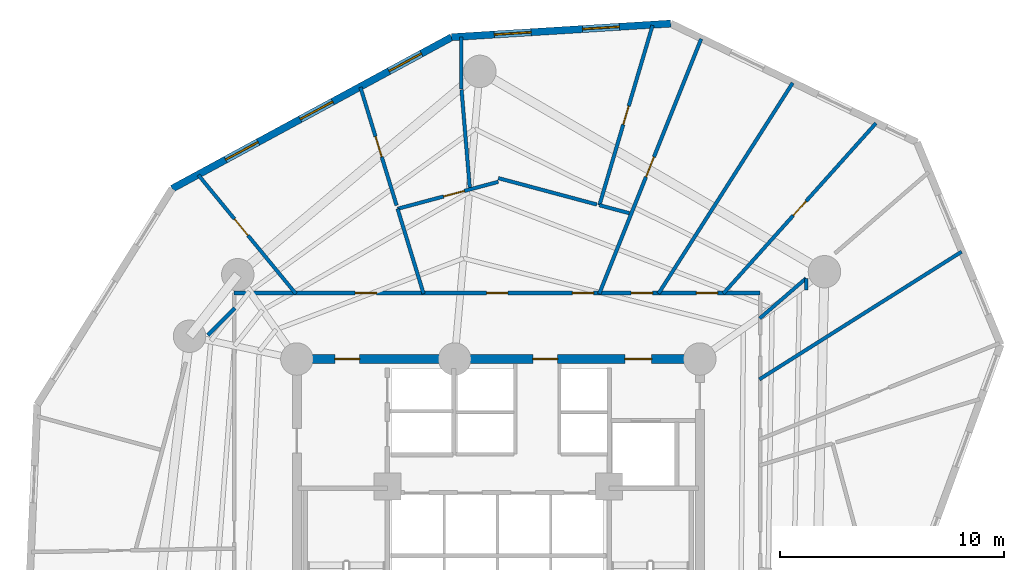
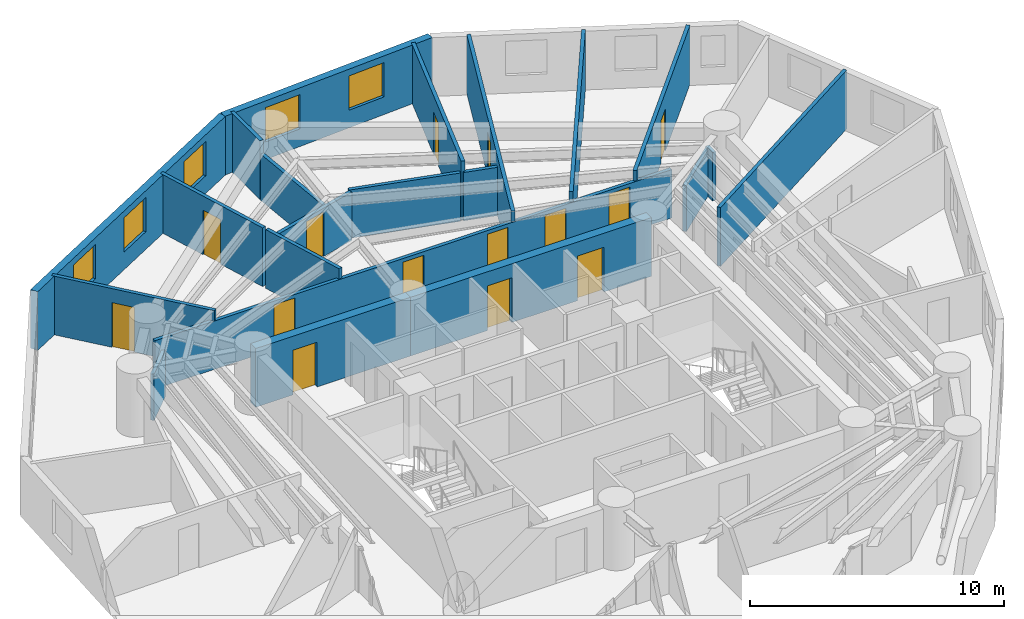
# One storey, part 6 of 8: 21 walls, 14 doors, 5 windows, 19 openings.
"""IFC4 building model written with IfcOpenShell, lengths in metres."""

from ifc_helpers import new_model, si_unit, direction, frame, frame_2d, origin, origin_with_axes, place, context, subcontext, project, spatial, rectangle, extrude, source, transform, mapped, material, layer, layer_set, type_object, element, fill, save


model = new_model("IFC4")

# Units and contexts
model_context = context("Model", 3, precision=1e-05, world=origin(), true_north=direction((0.0, 1.0)))
body_context = subcontext(model_context, "Body", "Model", "MODEL_VIEW")
ifc_project = project(units=[si_unit("LENGTHUNIT", "METRE"), si_unit("AREAUNIT", "SQUARE_METRE"), si_unit("VOLUMEUNIT", "CUBIC_METRE"), si_unit("PLANEANGLEUNIT", "RADIAN"), si_unit("MASSUNIT", "GRAM", prefix="KILO")], contexts=[model_context])

# Site, building, storey
site_placement = place(None, origin())
site = spatial("IfcSite", under=ifc_project, at=site_placement, CompositionType="ELEMENT")
building_placement = place(site_placement, origin())
building = spatial("IfcBuilding", under=site, at=building_placement, Name="Karkom Vertical University and Central Library", CompositionType="ELEMENT")
storey_placement = place(building_placement, frame((0.0, 0.0, 108.39990234375)))
storey = spatial("IfcBuildingStorey", under=building, at=storey_placement, Name="L29", CompositionType="ELEMENT", Elevation=108.39990234375)

# Wall, openings, windows
ifc_material_1 = material(Name="Brick-faced precast concrete C45/55", Category="masonry")
ifc_layer_1 = layer(ifc_material_1, 0.320068359375)
ifc_layer_set_1 = layer_set([ifc_layer_1], Name="Brick-faced precast concrete C45/55")
wall_type_1 = type_object("IfcWallType", Name="ENV-WL-BRK-320", PredefinedType="SOLIDWALL", material=ifc_layer_set_1)
wall_1_placement = place(storey_placement, frame((36.20361328125, 49.68603515625, 0.0), z_axis=(0.0, 0.0, 1.0), x_axis=(-0.998072289058, -0.062062112557, 0.0)))
wall_1 = element("IfcWall", 1, at=wall_1_placement, inside=storey, type_object=wall_type_1, Name="Level 29 Brick-Faced Precast Facade Wall 11", PredefinedType="SOLIDWALL", context=body_context, shape_type="SweptSolid", body=[
    extrude(rectangle(XDim=9.806884765625, YDim=0.320068359375, at=frame_2d((4.9033203125, 0.0))), origin(), (0.0, 0.0, 1.0), 2.8251953125),
])
opening_1_placement = place(wall_1_placement, frame((2.298583984375, 0.0, 0.85009765625)))
opening_1 = element("IfcOpeningElement", 2, at=opening_1_placement, cuts=wall_1, Name="Opening WN-06", PredefinedType="OPENING", context=body_context, shape_type="SweptSolid", body=[
    extrude(rectangle(XDim=1.64990234375, YDim=1.64990234375, at=frame_2d((0.824951171875, 0.824951171875))), frame((0.0, 0.169921875, 0.0), z_axis=(0.0, -1.0, 0.0), x_axis=(1.0, 0.0, 0.0)), (0.0, 0.0, 1.0), 0.340087890625),
])
opening_2_placement = place(wall_1_placement, frame((6.25048828125, 0.0, 0.85009765625)))
opening_2 = element("IfcOpeningElement", 3, at=opening_2_placement, cuts=wall_1, Name="Opening WN-06", PredefinedType="OPENING", context=body_context, shape_type="SweptSolid", body=[
    extrude(rectangle(XDim=1.64990234375, YDim=1.64990234375, at=frame_2d((0.824951171875, 0.824951171875))), frame((0.0, 0.169921875, 0.0), z_axis=(0.0, -1.0, 0.0), x_axis=(1.0, 0.0, 0.0)), (0.0, 0.0, 1.0), 0.340087890625),
])
ifc_material_2 = material(Name="Aluminium thermal-break frame with solar-control IGU", Category="aluminium")
window_type = type_object("IfcWindowType", Name="ENV-WIN-WN-06", PartitioningType="SINGLE_PANEL", PredefinedType="WINDOW", material=ifc_material_2)
shared_shape_1 = source(origin_with_axes(), body_context, "Body", "SweptSolid", [
    extrude(rectangle(XDim=1.64990234375, YDim=1.64990234375, at=frame_2d((0.824951171875, 0.824951171875))), frame((0.0, 0.030029296875, 0.0), z_axis=(0.0, -1.0, 0.0), x_axis=(1.0, 0.0, 0.0)), (0.0, 0.0, 1.0), 0.06005859375),
])
window_1_placement = place(opening_1_placement, origin())
window_1 = element("IfcWindow", 4, at=window_1_placement, inside=storey, type_object=window_type, Name="Level 29 Punched Window 11.1", OverallHeight=1.64990234375, OverallWidth=1.64990234375, PartitioningType="SINGLE_PANEL", PredefinedType="WINDOW", context=body_context, shape_type="MappedRepresentation", body=[
    mapped(shared_shape_1, transform((0.0, 0.0, 0.0), scale=1.0)),
])
fill(opening_1, window_1)
window_2_placement = place(opening_2_placement, origin())
window_2 = element("IfcWindow", 5, at=window_2_placement, inside=storey, type_object=window_type, Name="Level 29 Punched Window 11.2", OverallHeight=1.64990234375, OverallWidth=1.64990234375, PartitioningType="SINGLE_PANEL", PredefinedType="WINDOW", context=body_context, shape_type="MappedRepresentation", body=[
    mapped(shared_shape_1, transform((0.0, 0.0, 0.0), scale=1.0)),
])
fill(opening_2, window_2)

wall_2_placement = place(storey_placement, frame((26.41552734375, 49.077392578125, 0.0), z_axis=(0.0, 0.0, 1.0), x_axis=(-0.879200730445, -0.476451545894, 0.0)))
wall_2 = element("IfcWall", 6, at=wall_2_placement, inside=storey, type_object=wall_type_1, Name="Level 29 Brick-Faced Precast Facade Wall 12", PredefinedType="SOLIDWALL", context=body_context, shape_type="SweptSolid", body=[
    extrude(rectangle(XDim=14.197509765625, YDim=0.320068359375, at=frame_2d((7.0986328125, 0.0))), origin(), (0.0, 0.0, 1.0), 2.8251953125),
])
opening_3_placement = place(wall_2_placement, frame((1.531982421875, 0.0, 0.85009765625)))
opening_3 = element("IfcOpeningElement", 7, at=opening_3_placement, cuts=wall_2, Name="Opening WN-06", PredefinedType="OPENING", context=body_context, shape_type="SweptSolid", body=[
    extrude(rectangle(XDim=1.64990234375, YDim=1.64990234375, at=frame_2d((0.824951171875, 0.824951171875))), frame((0.0, 0.169921875, 0.0), z_axis=(0.0, -1.0, 0.0), x_axis=(1.0, 0.0, 0.0)), (0.0, 0.0, 1.0), 0.340087890625),
])
opening_4_placement = place(wall_2_placement, frame((6.043701171875, 0.0, 0.85009765625)))
opening_4 = element("IfcOpeningElement", 8, at=opening_4_placement, cuts=wall_2, Name="Opening WN-06", PredefinedType="OPENING", context=body_context, shape_type="SweptSolid", body=[
    extrude(rectangle(XDim=1.64990234375, YDim=1.64990234375, at=frame_2d((0.824951171875, 0.824951171875))), frame((0.0, 0.169921875, 0.0), z_axis=(0.0, -1.0, 0.0), x_axis=(1.0, 0.0, 0.0)), (0.0, 0.0, 1.0), 0.340087890625),
])
opening_5_placement = place(wall_2_placement, frame((9.8330078125, 0.0, 0.85009765625)))
opening_5 = element("IfcOpeningElement", 9, at=opening_5_placement, cuts=wall_2, Name="Opening WN-06", PredefinedType="OPENING", context=body_context, shape_type="SweptSolid", body=[
    extrude(rectangle(XDim=1.64990234375, YDim=1.64990234375, at=frame_2d((0.824951171875, 0.824951171875))), frame((0.0, 0.169921875, 0.0), z_axis=(0.0, -1.0, 0.0), x_axis=(1.0, 0.0, 0.0)), (0.0, 0.0, 1.0), 0.340087890625),
])
window_3_placement = place(opening_3_placement, origin())
window_3 = element("IfcWindow", 10, at=window_3_placement, inside=storey, type_object=window_type, Name="Level 29 Punched Window 12.1", OverallHeight=1.64990234375, OverallWidth=1.64990234375, PartitioningType="SINGLE_PANEL", PredefinedType="WINDOW", context=body_context, shape_type="MappedRepresentation", body=[
    mapped(shared_shape_1, transform((0.0, 0.0, 0.0), scale=1.0)),
])
fill(opening_3, window_3)
window_4_placement = place(opening_4_placement, origin())
window_4 = element("IfcWindow", 11, at=window_4_placement, inside=storey, type_object=window_type, Name="Level 29 Punched Window 12.2", OverallHeight=1.64990234375, OverallWidth=1.64990234375, PartitioningType="SINGLE_PANEL", PredefinedType="WINDOW", context=body_context, shape_type="MappedRepresentation", body=[
    mapped(shared_shape_1, transform((0.0, 0.0, 0.0), scale=1.0)),
])
fill(opening_4, window_4)
window_5_placement = place(opening_5_placement, origin())
window_5 = element("IfcWindow", 12, at=window_5_placement, inside=storey, type_object=window_type, Name="Level 29 Punched Window 12.3", OverallHeight=1.64990234375, OverallWidth=1.64990234375, PartitioningType="SINGLE_PANEL", PredefinedType="WINDOW", context=body_context, shape_type="MappedRepresentation", body=[
    mapped(shared_shape_1, transform((0.0, 0.0, 0.0), scale=1.0)),
])
fill(opening_5, window_5)

# Wall, openings, doors
ifc_material_3 = material(Name="Insulated metal-stud drywall 160mm", Category="gypsum")
ifc_layer_2 = layer(ifc_material_3, 0.159912109375)
ifc_layer_set_2 = layer_set([ifc_layer_2], Name="Insulated metal-stud drywall 160mm")
wall_type_2 = type_object("IfcWallType", Name="INT-WL-COR-160", PredefinedType="PARTITIONING", material=ifc_layer_set_2)
wall_3_placement = place(storey_placement, frame((16.699951171875, 37.64990234375, 0.0), z_axis=(0.0, 0.0, 1.0), x_axis=(1.0, 0.0, 0.0)))
wall_3 = element("IfcWall", 13, at=wall_3_placement, inside=storey, type_object=wall_type_2, Name="Level 29 Interior Partition Wall L29-CORW-CW-003", PredefinedType="PARTITIONING", context=body_context, shape_type="SweptSolid", body=[
    extrude(rectangle(XDim=23.5, YDim=0.159912109375, at=frame_2d((11.75, 0.0))), origin(), (0.0, 0.0, 1.0), 2.3251953125),
])
opening_6_placement = place(wall_3_placement, frame((20.647216796875, 0.0, 0.0)))
opening_6 = element("IfcOpeningElement", 14, at=opening_6_placement, cuts=wall_3, Name="Opening D-RM1", PredefinedType="OPENING", context=body_context, shape_type="SweptSolid", body=[
    extrude(rectangle(XDim=0.949951171875, YDim=2.14990234375, at=frame_2d((0.47509765625, 1.074951171875))), frame((0.0, 0.08984375, 0.0), z_axis=(0.0, -1.0, 0.0), x_axis=(1.0, 0.0, 0.0)), (0.0, 0.0, 1.0), 0.179931640625),
])
opening_7_placement = place(wall_3_placement, frame((17.738525390625, 0.0, 0.0)))
opening_7 = element("IfcOpeningElement", 15, at=opening_7_placement, cuts=wall_3, Name="Opening FD-RM2", PredefinedType="OPENING", context=body_context, shape_type="SweptSolid", body=[
    extrude(rectangle(XDim=0.9599609375, YDim=2.14990234375, at=frame_2d((0.47998046875, 1.074951171875))), frame((0.0, 0.08984375, 0.0), z_axis=(0.0, -1.0, 0.0), x_axis=(1.0, 0.0, 0.0)), (0.0, 0.0, 1.0), 0.179931640625),
])
opening_8_placement = place(wall_3_placement, frame((15.110107421875, 0.0, 0.0)))
opening_8 = element("IfcOpeningElement", 16, at=opening_8_placement, cuts=wall_3, Name="Opening D-RM1", PredefinedType="OPENING", context=body_context, shape_type="SweptSolid", body=[
    extrude(rectangle(XDim=0.949951171875, YDim=2.14990234375, at=frame_2d((0.47509765625, 1.074951171875))), frame((0.0, 0.08984375, 0.0), z_axis=(0.0, -1.0, 0.0), x_axis=(1.0, 0.0, 0.0)), (0.0, 0.0, 1.0), 0.179931640625),
])
opening_9_placement = place(wall_3_placement, frame((11.27490234375, 0.0, 0.0)))
opening_9 = element("IfcOpeningElement", 17, at=opening_9_placement, cuts=wall_3, Name="Opening D-RM1", PredefinedType="OPENING", context=body_context, shape_type="SweptSolid", body=[
    extrude(rectangle(XDim=0.949951171875, YDim=2.14990234375, at=frame_2d((0.47509765625, 1.074951171875))), frame((0.0, 0.08984375, 0.0), z_axis=(0.0, -1.0, 0.0), x_axis=(1.0, 0.0, 0.0)), (0.0, 0.0, 1.0), 0.179931640625),
])
opening_10_placement = place(wall_3_placement, frame((5.39990234375, 0.0, 0.0)))
opening_10 = element("IfcOpeningElement", 18, at=opening_10_placement, cuts=wall_3, Name="Opening FD-RM2", PredefinedType="OPENING", context=body_context, shape_type="SweptSolid", body=[
    extrude(rectangle(XDim=0.9599609375, YDim=2.14990234375, at=frame_2d((0.47998046875, 1.074951171875))), frame((0.0, 0.08984375, 0.0), z_axis=(0.0, -1.0, 0.0), x_axis=(1.0, 0.0, 0.0)), (0.0, 0.0, 1.0), 0.179931640625),
])
ifc_material_4 = material(Name="Fire-rated oak veneer door", Category="wood")
door_type_1 = type_object("IfcDoorType", Name="INT-DR-FRM2", OperationType="NOTDEFINED", PredefinedType="DOOR", material=ifc_material_4)
shared_shape_2 = source(origin_with_axes(), body_context, "Body", "SweptSolid", [
    extrude(rectangle(XDim=0.9599609375, YDim=2.14990234375, at=frame_2d((0.47998046875, 1.074951171875))), frame((0.0, 0.02490234375, 0.0), z_axis=(0.0, -1.0, 0.0), x_axis=(1.0, 0.0, 0.0)), (0.0, 0.0, 1.0), 0.050048828125),
])
door_1_placement = place(opening_7_placement, origin())
door_1 = element("IfcDoor", 19, at=door_1_placement, inside=storey, type_object=door_type_1, Name="Level 29 Room Entry Door 180", OperationType="SINGLE_SWING_LEFT", OverallHeight=2.14990234375, OverallWidth=0.9599609375, PredefinedType="DOOR", context=body_context, shape_type="MappedRepresentation", body=[
    mapped(shared_shape_2, transform((0.0, 0.0, 0.0), scale=1.0)),
])
fill(opening_7, door_1)
door_2_placement = place(opening_10_placement, origin())
door_2 = element("IfcDoor", 20, at=door_2_placement, inside=storey, type_object=door_type_1, Name="Level 29 Room Entry Door 240", OperationType="SINGLE_SWING_RIGHT", OverallHeight=2.14990234375, OverallWidth=0.9599609375, PredefinedType="DOOR", context=body_context, shape_type="MappedRepresentation", body=[
    mapped(shared_shape_2, transform((0.0, 0.0, 0.0), scale=1.0)),
])
fill(opening_10, door_2)
ifc_material_5 = material(Name="Solid-core oak veneer door", Category="wood")
door_type_2 = type_object("IfcDoorType", Name="INT-DR-RM1", OperationType="NOTDEFINED", PredefinedType="DOOR", material=ifc_material_5)
shared_shape_3 = source(origin_with_axes(), body_context, "Body", "SweptSolid", [
    extrude(rectangle(XDim=0.949951171875, YDim=2.14990234375, at=frame_2d((0.47509765625, 1.074951171875))), frame((0.0, 0.02490234375, 0.0), z_axis=(0.0, -1.0, 0.0), x_axis=(1.0, 0.0, 0.0)), (0.0, 0.0, 1.0), 0.050048828125),
])
door_3_placement = place(opening_6_placement, origin())
door_3 = element("IfcDoor", 21, at=door_3_placement, inside=storey, type_object=door_type_2, Name="Level 29 Room Entry Door 170", OperationType="SINGLE_SWING_RIGHT", OverallHeight=2.14990234375, OverallWidth=0.949951171875, PredefinedType="DOOR", context=body_context, shape_type="MappedRepresentation", body=[
    mapped(shared_shape_3, transform((0.0, 0.0, 0.0), scale=1.0)),
])
fill(opening_6, door_3)
door_4_placement = place(opening_8_placement, origin())
door_4 = element("IfcDoor", 22, at=door_4_placement, inside=storey, type_object=door_type_2, Name="Level 29 Room Entry Door 190", OperationType="SINGLE_SWING_RIGHT", OverallHeight=2.14990234375, OverallWidth=0.949951171875, PredefinedType="DOOR", context=body_context, shape_type="MappedRepresentation", body=[
    mapped(shared_shape_3, transform((0.0, 0.0, 0.0), scale=1.0)),
])
fill(opening_8, door_4)
door_5_placement = place(opening_9_placement, origin())
door_5 = element("IfcDoor", 23, at=door_5_placement, inside=storey, type_object=door_type_2, Name="Level 29 Room Entry Door 220", OperationType="SINGLE_SWING_LEFT", OverallHeight=2.14990234375, OverallWidth=0.949951171875, PredefinedType="DOOR", context=body_context, shape_type="MappedRepresentation", body=[
    mapped(shared_shape_3, transform((0.0, 0.0, 0.0), scale=1.0)),
])
fill(opening_9, door_5)

# Wall, opening, door
wall_4_placement = place(storey_placement, frame((33.006591796875, 37.608154296875, 0.0), z_axis=(0.0, 0.0, 1.0), x_axis=(0.371291201683, 0.928516474573, 0.0)))
wall_4 = element("IfcWall", 24, at=wall_4_placement, inside=storey, type_object=wall_type_2, Name="Level 29 Interior Partition Wall L29-PW-028", PredefinedType="PARTITIONING", context=body_context, shape_type="SweptSolid", body=[
    extrude(rectangle(XDim=12.271728515625, YDim=0.159912109375, at=frame_2d((6.1357421875, 0.0))), origin(), (0.0, 0.0, 1.0), 2.8251953125),
])
opening_11_placement = place(wall_4_placement, frame((5.635986328125, 0.0, 0.0)))
opening_11 = element("IfcOpeningElement", 25, at=opening_11_placement, cuts=wall_4, Name="Opening D-RM1", PredefinedType="OPENING", context=body_context, shape_type="SweptSolid", body=[
    extrude(rectangle(XDim=0.949951171875, YDim=2.14990234375, at=frame_2d((0.47509765625, 1.074951171875))), frame((0.0, 0.08984375, 0.0), z_axis=(0.0, -1.0, 0.0), x_axis=(1.0, 0.0, 0.0)), (0.0, 0.0, 1.0), 0.179931640625),
])
door_6_placement = place(opening_11_placement, origin())
door_6 = element("IfcDoor", 26, at=door_6_placement, inside=storey, type_object=door_type_2, Name="Level 29 Room Entry Door 200", OperationType="SINGLE_SWING_RIGHT", OverallHeight=2.14990234375, OverallWidth=0.949951171875, PredefinedType="DOOR", context=body_context, shape_type="MappedRepresentation", body=[
    mapped(shared_shape_3, transform((0.0, 0.0, 0.0), scale=1.0)),
])
fill(opening_11, door_6)

# Walls
wall_5_placement = place(storey_placement, frame((35.656982421875, 37.624755859375, 0.0), z_axis=(0.0, 0.0, 1.0), x_axis=(0.537218201625, 0.843443302091, 0.0)))
element("IfcWall", 27, at=wall_5_placement, inside=storey, type_object=wall_type_2, Name="Level 29 Interior Partition Wall L29-PW-027", PredefinedType="PARTITIONING", context=body_context, shape_type="SweptSolid", body=[
    extrude(rectangle(XDim=11.153564453125, YDim=0.159912109375, at=frame_2d((5.57666015625, 0.0))), origin(), (0.0, 0.0, 1.0), 2.8251953125),
])
wall_6_placement = place(storey_placement, frame((40.161865234375, 33.791259765625, 0.0), z_axis=(0.0, 0.0, 1.0), x_axis=(0.845589899821, 0.533833046299, 0.0)))
element("IfcWall", 28, at=wall_6_placement, inside=storey, type_object=wall_type_2, Name="Level 29 Interior Partition Wall L29-PW-022", PredefinedType="PARTITIONING", context=body_context, shape_type="SweptSolid", body=[
    extrude(rectangle(XDim=10.682373046875, YDim=0.159912109375, at=frame_2d((5.34130859375, 0.0))), origin(), (0.0, 0.0, 1.0), 2.8251953125),
])

# Wall, opening, door
wall_7_placement = place(storey_placement, frame((38.552490234375, 37.627685546875, 0.0), z_axis=(0.0, 0.0, 1.0), x_axis=(0.667368191459, 0.744727934906, 0.0)))
wall_7 = element("IfcWall", 29, at=wall_7_placement, inside=storey, type_object=wall_type_2, Name="Level 29 Interior Partition Wall L29-PW-026", PredefinedType="PARTITIONING", context=body_context, shape_type="SweptSolid", body=[
    extrude(rectangle(XDim=10.215576171875, YDim=0.159912109375, at=frame_2d((5.10791015625, 0.0))), origin(), (0.0, 0.0, 1.0), 2.8251953125),
])
opening_12_placement = place(wall_7_placement, frame((4.677978515625, 0.0, 0.0)))
opening_12 = element("IfcOpeningElement", 30, at=opening_12_placement, cuts=wall_7, Name="Opening FD-BTH2", PredefinedType="OPENING", context=body_context, shape_type="SweptSolid", body=[
    extrude(rectangle(XDim=0.860107421875, YDim=2.0400390625, at=frame_2d((0.43017578125, 1.02001953125))), frame((0.0, 0.08984375, 0.0), z_axis=(0.0, -1.0, 0.0), x_axis=(1.0, 0.0, 0.0)), (0.0, 0.0, 1.0), 0.179931640625),
])
ifc_material_6 = material(Name="Fire-rated moisture-resistant oak door", Category="wood")
door_type_3 = type_object("IfcDoorType", Name="INT-DR-FBTH2", OperationType="NOTDEFINED", PredefinedType="DOOR", material=ifc_material_6)
shared_shape_4 = source(origin_with_axes(), body_context, "Body", "SweptSolid", [
    extrude(rectangle(XDim=0.860107421875, YDim=2.0400390625, at=frame_2d((0.43017578125, 1.02001953125))), frame((0.0, 0.02490234375, 0.0), z_axis=(0.0, -1.0, 0.0), x_axis=(1.0, 0.0, 0.0)), (0.0, 0.0, 1.0), 0.050048828125),
])
door_7_placement = place(opening_12_placement, origin())
door_7 = element("IfcDoor", 31, at=door_7_placement, inside=storey, type_object=door_type_3, Name="Level 29 Departmental Reference Reading Library Entry Door", OperationType="SINGLE_SWING_LEFT", OverallHeight=2.0400390625, OverallWidth=0.860107421875, PredefinedType="DOOR", context=body_context, shape_type="MappedRepresentation", body=[
    mapped(shared_shape_4, transform((0.0, 0.0, 0.0), scale=1.0)),
])
fill(opening_12, door_7)

wall_8_placement = place(storey_placement, frame((33.016845703125, 41.572509765625, 0.0), z_axis=(0.0, 0.0, 1.0), x_axis=(0.283404618034, 0.95900042882, 0.0)))
wall_8 = element("IfcWall", 32, at=wall_8_placement, inside=storey, type_object=wall_type_2, Name="Level 29 Interior Partition Wall L29-PW-029", PredefinedType="PARTITIONING", context=body_context, shape_type="SweptSolid", body=[
    extrude(rectangle(XDim=8.377685546875, YDim=0.159912109375, at=frame_2d((4.18896484375, 0.0))), origin(), (0.0, 0.0, 1.0), 2.8251953125),
])
opening_13_placement = place(wall_8_placement, frame((3.7587890625, 0.0, 0.0)))
opening_13 = element("IfcOpeningElement", 33, at=opening_13_placement, cuts=wall_8, Name="Opening FD-BTH2", PredefinedType="OPENING", context=body_context, shape_type="SweptSolid", body=[
    extrude(rectangle(XDim=0.860107421875, YDim=2.0400390625, at=frame_2d((0.43017578125, 1.02001953125))), frame((0.0, 0.08984375, 0.0), z_axis=(0.0, -1.0, 0.0), x_axis=(1.0, 0.0, 0.0)), (0.0, 0.0, 1.0), 0.179931640625),
])
door_8_placement = place(opening_13_placement, origin())
door_8 = element("IfcDoor", 34, at=door_8_placement, inside=storey, type_object=door_type_3, Name="Level 29 University Seminar Classroom Entry Door", OperationType="SINGLE_SWING_RIGHT", OverallHeight=2.0400390625, OverallWidth=0.860107421875, PredefinedType="DOOR", context=body_context, shape_type="MappedRepresentation", body=[
    mapped(shared_shape_4, transform((0.0, 0.0, 0.0), scale=1.0)),
])
fill(opening_13, door_8)

wall_9_placement = place(storey_placement, frame((19.456298828125, 37.615234375, 0.0), z_axis=(0.0, 0.0, 1.0), x_axis=(-0.634372783188, 0.773027277623, 0.0)))
wall_9 = element("IfcWall", 35, at=wall_9_placement, inside=storey, type_object=wall_type_2, Name="Level 29 Interior Partition Wall L29-PW-039", PredefinedType="PARTITIONING", context=body_context, shape_type="SweptSolid", body=[
    extrude(rectangle(XDim=6.860107421875, YDim=0.159912109375, at=frame_2d((3.43017578125, 0.0))), origin(), (0.0, 0.0, 1.0), 2.8251953125),
])
opening_14_placement = place(wall_9_placement, frame((3.369873046875, 0.0, 0.0)))
opening_14 = element("IfcOpeningElement", 36, at=opening_14_placement, cuts=wall_9, Name="Opening D-RM1", PredefinedType="OPENING", context=body_context, shape_type="SweptSolid", body=[
    extrude(rectangle(XDim=0.949951171875, YDim=2.14990234375, at=frame_2d((0.47509765625, 1.074951171875))), frame((0.0, 0.08984375, 0.0), z_axis=(0.0, -1.0, 0.0), x_axis=(1.0, 0.0, 0.0)), (0.0, 0.0, 1.0), 0.179931640625),
])
door_9_placement = place(opening_14_placement, origin())
door_9 = element("IfcDoor", 37, at=door_9_placement, inside=storey, type_object=door_type_2, Name="Level 29 Room Entry Door 250", OperationType="SINGLE_SWING_LEFT", OverallHeight=2.14990234375, OverallWidth=0.949951171875, PredefinedType="DOOR", context=body_context, shape_type="MappedRepresentation", body=[
    mapped(shared_shape_3, transform((0.0, 0.0, 0.0), scale=1.0)),
])
fill(opening_14, door_9)

wall_10_placement = place(storey_placement, frame((23.95556640625, 41.565185546875, 0.0), z_axis=(0.0, 0.0, 1.0), x_axis=(-0.292468154149, 0.956275263096, 0.0)))
wall_10 = element("IfcWall", 38, at=wall_10_placement, inside=storey, type_object=wall_type_2, Name="Level 29 Interior Partition Wall L29-PW-038", PredefinedType="PARTITIONING", context=body_context, shape_type="SweptSolid", body=[
    extrude(rectangle(XDim=5.51611328125, YDim=0.159912109375, at=frame_2d((2.758056640625, 0.0))), origin(), (0.0, 0.0, 1.0), 2.8251953125),
])
opening_15_placement = place(wall_10_placement, frame((2.265625, 0.0, 0.0)))
opening_15 = element("IfcOpeningElement", 39, at=opening_15_placement, cuts=wall_10, Name="Opening D-RM1", PredefinedType="OPENING", context=body_context, shape_type="SweptSolid", body=[
    extrude(rectangle(XDim=0.949951171875, YDim=2.14990234375, at=frame_2d((0.47509765625, 1.074951171875))), frame((0.0, 0.08984375, 0.0), z_axis=(0.0, -1.0, 0.0), x_axis=(1.0, 0.0, 0.0)), (0.0, 0.0, 1.0), 0.179931640625),
])
door_10_placement = place(opening_15_placement, origin())
door_10 = element("IfcDoor", 40, at=door_10_placement, inside=storey, type_object=door_type_2, Name="Level 29 Room Entry Door 230", OperationType="SINGLE_SWING_RIGHT", OverallHeight=2.14990234375, OverallWidth=0.949951171875, PredefinedType="DOOR", context=body_context, shape_type="MappedRepresentation", body=[
    mapped(shared_shape_3, transform((0.0, 0.0, 0.0), scale=1.0)),
])
fill(opening_15, door_10)

wall_11_placement = place(storey_placement, frame((24.002197265625, 41.412109375, 0.0), z_axis=(0.0, 0.0, 1.0), x_axis=(0.965931435786, 0.258798109268, 0.0)))
wall_11 = element("IfcWall", 41, at=wall_11_placement, inside=storey, type_object=wall_type_2, Name="Level 29 Interior Partition Wall L29-PW-036", PredefinedType="PARTITIONING", context=body_context, shape_type="SweptSolid", body=[
    extrude(rectangle(XDim=4.656494140625, YDim=0.159912109375, at=frame_2d((2.328125, 0.0))), origin(), (0.0, 0.0, 1.0), 2.3251953125),
])
opening_16_placement = place(wall_11_placement, frame((2.127197265625, 0.0, 0.0)))
opening_16 = element("IfcOpeningElement", 42, at=opening_16_placement, cuts=wall_11, Name="Opening FD-RM2", PredefinedType="OPENING", context=body_context, shape_type="SweptSolid", body=[
    extrude(rectangle(XDim=0.9599609375, YDim=2.14990234375, at=frame_2d((0.47998046875, 1.074951171875))), frame((0.0, 0.08984375, 0.0), z_axis=(0.0, -1.0, 0.0), x_axis=(1.0, 0.0, 0.0)), (0.0, 0.0, 1.0), 0.179931640625),
])
door_11_placement = place(opening_16_placement, origin())
door_11 = element("IfcDoor", 43, at=door_11_placement, inside=storey, type_object=door_type_1, Name="Level 29 Room Entry Door 210", OperationType="SINGLE_SWING_LEFT", OverallHeight=2.14990234375, OverallWidth=0.9599609375, PredefinedType="DOOR", context=body_context, shape_type="MappedRepresentation", body=[
    mapped(shared_shape_2, transform((0.0, 0.0, 0.0), scale=1.0)),
])
fill(opening_16, door_11)

# Walls
wall_12_placement = place(storey_placement, frame((32.90087890625, 41.603515625, 0.0), z_axis=(0.0, 0.0, 1.0), x_axis=(-0.965926524805, 0.25881643819, 0.0)))
element("IfcWall", 44, at=wall_12_placement, inside=storey, type_object=wall_type_2, Name="Level 29 Interior Partition Wall L29-PW-032", PredefinedType="PARTITIONING", context=body_context, shape_type="SweptSolid", body=[
    extrude(rectangle(XDim=4.55615234375, YDim=0.159912109375, at=frame_2d((2.278076171875, 0.0))), origin(), (0.0, 0.0, 1.0), 2.3251953125),
])
wall_13_placement = place(storey_placement, frame((27.22509765625, 42.365478515625, 0.0), z_axis=(0.0, 0.0, 1.0), x_axis=(-0.083870997944, 0.996476620751, 0.0)))
element("IfcWall", 45, at=wall_13_placement, inside=storey, type_object=wall_type_2, Name="Level 29 Interior Partition Wall L29-PW-033", PredefinedType="PARTITIONING", context=body_context, shape_type="SweptSolid", body=[
    extrude(rectangle(XDim=4.380859375, YDim=0.159912109375, at=frame_2d((2.1904296875, 0.0))), origin(), (0.0, 0.0, 1.0), 2.22509765625),
])
wall_14_placement = place(storey_placement, frame((25.16162109375, 37.621337890625, 0.0), z_axis=(0.0, 0.0, 1.0), x_axis=(-0.292479826773, 0.956271693051, 0.0)))
element("IfcWall", 46, at=wall_14_placement, inside=storey, type_object=wall_type_2, Name="Level 29 Interior Partition Wall L29-PW-037", PredefinedType="PARTITIONING", context=body_context, shape_type="SweptSolid", body=[
    extrude(rectangle(XDim=3.964111328125, YDim=0.159912109375, at=frame_2d((1.98193359375, 0.0))), origin(), (0.0, 0.0, 1.0), 2.8251953125),
])
wall_15_placement = place(storey_placement, frame((40.17724609375, 36.515869140625, 0.0), z_axis=(0.0, 0.0, 1.0), x_axis=(0.75648231109, 0.654014153522, 0.0)))
element("IfcWall", 47, at=wall_15_placement, inside=storey, type_object=wall_type_2, Name="Level 29 Interior Partition Wall L29-PW-025", PredefinedType="PARTITIONING", context=body_context, shape_type="SweptSolid", body=[
    extrude(rectangle(XDim=2.739990234375, YDim=0.159912109375, at=frame_2d((1.3701171875, 0.0))), origin(), (0.0, 0.0, 1.0), 2.22509765625),
])
wall_16_placement = place(storey_placement, frame((26.85400390625, 49.07958984375, 0.0), z_axis=(0.0, 0.0, 1.0), x_axis=(0.0, -1.0, 0.0)))
element("IfcWall", 48, at=wall_16_placement, inside=storey, type_object=wall_type_2, Name="Level 29 Interior Partition Wall L29-PW-034", PredefinedType="PARTITIONING", context=body_context, shape_type="SweptSolid", body=[
    extrude(rectangle(XDim=2.3056640625, YDim=0.159912109375, at=frame_2d((1.15283203125, 0.0))), origin(), (0.0, 0.0, 1.0), 2.8251953125),
])
wall_17_placement = place(storey_placement, frame((16.731689453125, 36.974609375, 0.0), z_axis=(0.0, 0.0, 1.0), x_axis=(-0.707035128273, -0.70717842684, 0.0)))
element("IfcWall", 49, at=wall_17_placement, inside=storey, type_object=wall_type_2, Name="Level 29 Interior Partition Wall L29-PW-040", PredefinedType="PARTITIONING", context=body_context, shape_type="SweptSolid", body=[
    extrude(rectangle(XDim=1.70361328125, YDim=0.159912109375, at=frame_2d((0.851806640625, 0.0))), origin(), (0.0, 0.0, 1.0), 2.22509765625),
])
wall_18_placement = place(storey_placement, frame((34.354736328125, 41.214111328125, 0.0), z_axis=(0.0, 0.0, 1.0), x_axis=(-0.96594175785, 0.258759580387, 0.0)))
element("IfcWall", 50, at=wall_18_placement, inside=storey, type_object=wall_type_2, Name="Level 29 Interior Partition Wall L29-PW-030", PredefinedType="PARTITIONING", context=body_context, shape_type="SweptSolid", body=[
    extrude(rectangle(XDim=1.385009765625, YDim=0.159912109375, at=frame_2d((0.6923828125, 0.0))), origin(), (0.0, 0.0, 1.0), 2.3251953125),
])
wall_19_placement = place(storey_placement, frame((42.25, 38.307861328125, 0.0), z_axis=(0.0, 0.0, 1.0), x_axis=(0.0, -1.0, 0.0)))
element("IfcWall", 51, at=wall_19_placement, inside=storey, type_object=wall_type_2, Name="Level 29 Interior Partition Wall L29-PW-023", PredefinedType="PARTITIONING", context=body_context, shape_type="SweptSolid", body=[
    extrude(rectangle(XDim=0.52783203125, YDim=0.159912109375, at=frame_2d((0.263916015625, 0.0))), origin(), (0.0, 0.0, 1.0), 2.3251953125),
])

# Wall, openings, doors
ifc_material_7 = material(Name="Concrete C50/60", Category="concrete")
ifc_layer_3 = layer(ifc_material_7, 0.39990234375)
ifc_layer_set_3 = layer_set([ifc_layer_3], Name="Concrete C50/60")
wall_type_3 = type_object("IfcWallType", Name="STR-WL-CW-400", PredefinedType="SHEAR", material=ifc_layer_set_3)
wall_20_placement = place(storey_placement, frame((37.5, 34.699951171875, 0.0), z_axis=(0.0, 0.0, 1.0), x_axis=(-1.0, 0.0, 0.0)))
wall_20 = element("IfcWall", 52, at=wall_20_placement, inside=storey, type_object=wall_type_3, Name="Level 29 Central Core Shear Wall NW1", PredefinedType="SHEAR", context=body_context, shape_type="SweptSolid", body=[
    extrude(rectangle(XDim=10.949951171875, YDim=0.39990234375, at=frame_2d((5.47509765625, 0.0))), origin(), (0.0, 0.0, 1.0), 2.8251953125),
])
opening_17_placement = place(wall_20_placement, frame((2.14990234375, 0.0, 0.0)))
opening_17 = element("IfcOpeningElement", 53, at=opening_17_placement, cuts=wall_20, Name="Opening FD-SUB1", PredefinedType="OPENING", context=body_context, shape_type="SweptSolid", body=[
    extrude(rectangle(XDim=1.199951171875, YDim=2.14990234375, at=frame_2d((0.60009765625, 1.074951171875))), frame((0.0, 0.2099609375, 0.0), z_axis=(0.0, -1.0, 0.0), x_axis=(1.0, 0.0, 0.0)), (0.0, 0.0, 1.0), 0.419921875),
])
opening_18_placement = place(wall_20_placement, frame((6.35009765625, 0.0, 0.0)))
opening_18 = element("IfcOpeningElement", 54, at=opening_18_placement, cuts=wall_20, Name="Opening FD-FFL", PredefinedType="OPENING", context=body_context, shape_type="SweptSolid", body=[
    extrude(rectangle(XDim=1.10009765625, YDim=2.14990234375, at=frame_2d((0.550048828125, 1.074951171875))), frame((0.0, 0.2099609375, 0.0), z_axis=(0.0, -1.0, 0.0), x_axis=(1.0, 0.0, 0.0)), (0.0, 0.0, 1.0), 0.419921875),
])
ifc_material_8 = material(Name="Painted steel smoke-seal fire door", Category="steel")
door_type_4 = type_object("IfcDoorType", Name="INT-DR-FFL", OperationType="NOTDEFINED", PredefinedType="DOOR", material=ifc_material_8)
shared_shape_5 = source(origin_with_axes(), body_context, "Body", "SweptSolid", [
    extrude(rectangle(XDim=1.10009765625, YDim=2.14990234375, at=frame_2d((0.550048828125, 1.074951171875))), frame((0.0, 0.02490234375, 0.0), z_axis=(0.0, -1.0, 0.0), x_axis=(1.0, 0.0, 0.0)), (0.0, 0.0, 1.0), 0.050048828125),
])
door_12_placement = place(opening_18_placement, origin())
door_12 = element("IfcDoor", 55, at=door_12_placement, inside=storey, type_object=door_type_4, Name="Level 29 North Core Lobby Exit Door", OperationType="SINGLE_SWING_RIGHT", OverallHeight=2.14990234375, OverallWidth=1.10009765625, PredefinedType="DOOR", context=body_context, shape_type="MappedRepresentation", body=[
    mapped(shared_shape_5, transform((0.0, 0.0, 0.0), scale=1.0)),
])
fill(opening_18, door_12)
ifc_material_9 = material(Name="Painted steel fire door", Category="steel")
door_type_5 = type_object("IfcDoorType", Name="INT-DR-SUB1", OperationType="NOTDEFINED", PredefinedType="DOOR", material=ifc_material_9)
shared_shape_6 = source(origin_with_axes(), body_context, "Body", "SweptSolid", [
    extrude(rectangle(XDim=1.199951171875, YDim=2.14990234375, at=frame_2d((0.60009765625, 1.074951171875))), frame((0.0, 0.02490234375, 0.0), z_axis=(0.0, -1.0, 0.0), x_axis=(1.0, 0.0, 0.0)), (0.0, 0.0, 1.0), 0.050048828125),
])
door_13_placement = place(opening_17_placement, origin())
door_13 = element("IfcDoor", 56, at=door_13_placement, inside=storey, type_object=door_type_5, Name="Level 29 Service Lobby Fire Door", OperationType="SINGLE_SWING_RIGHT", OverallHeight=2.14990234375, OverallWidth=1.199951171875, PredefinedType="DOOR", context=body_context, shape_type="MappedRepresentation", body=[
    mapped(shared_shape_6, transform((0.0, 0.0, 0.0), scale=1.0)),
])
fill(opening_17, door_13)

# Wall, opening, door
wall_21_placement = place(storey_placement, frame((26.550048828125, 34.699951171875, 0.0), z_axis=(0.0, 0.0, 1.0), x_axis=(-1.0, 0.0, 0.0)))
wall_21 = element("IfcWall", 57, at=wall_21_placement, inside=storey, type_object=wall_type_3, Name="Level 29 Central Core Shear Wall NW2", PredefinedType="SHEAR", context=body_context, shape_type="SweptSolid", body=[
    extrude(rectangle(XDim=7.050048828125, YDim=0.39990234375, at=frame_2d((3.52490234375, 0.0))), origin(), (0.0, 0.0, 1.0), 2.8251953125),
])
opening_19_placement = place(wall_21_placement, frame((4.25, 0.0, 0.0)))
opening_19 = element("IfcOpeningElement", 58, at=opening_19_placement, cuts=wall_21, Name="Opening FD-FFL", PredefinedType="OPENING", context=body_context, shape_type="SweptSolid", body=[
    extrude(rectangle(XDim=1.10009765625, YDim=2.14990234375, at=frame_2d((0.550048828125, 1.074951171875))), frame((0.0, 0.2099609375, 0.0), z_axis=(0.0, -1.0, 0.0), x_axis=(1.0, 0.0, 0.0)), (0.0, 0.0, 1.0), 0.419921875),
])
door_14_placement = place(opening_19_placement, origin())
door_14 = element("IfcDoor", 59, at=door_14_placement, inside=storey, type_object=door_type_4, Name="Level 29 Firefighting Lobby Door", OperationType="SINGLE_SWING_LEFT", OverallHeight=2.14990234375, OverallWidth=1.10009765625, PredefinedType="DOOR", context=body_context, shape_type="MappedRepresentation", body=[
    mapped(shared_shape_5, transform((0.0, 0.0, 0.0), scale=1.0)),
])
fill(opening_19, door_14)

save(model, "model.ifc")
